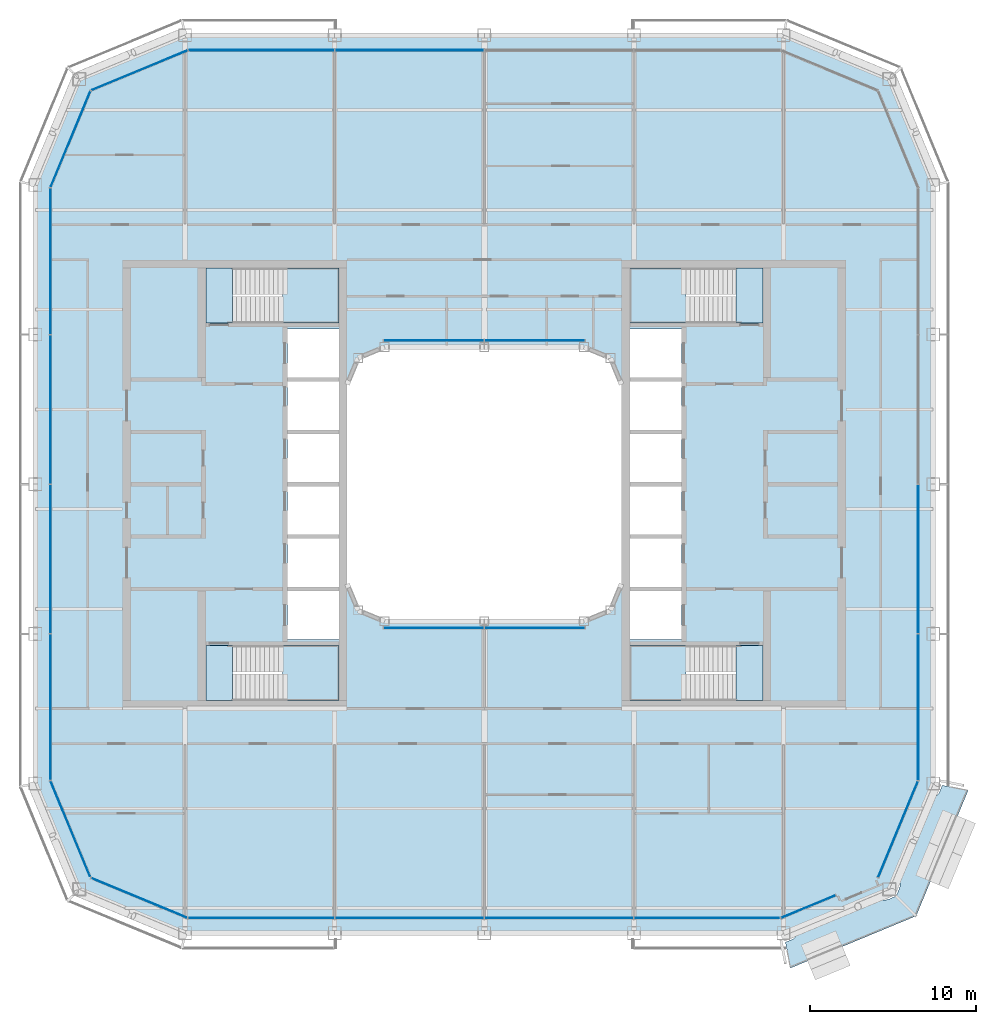
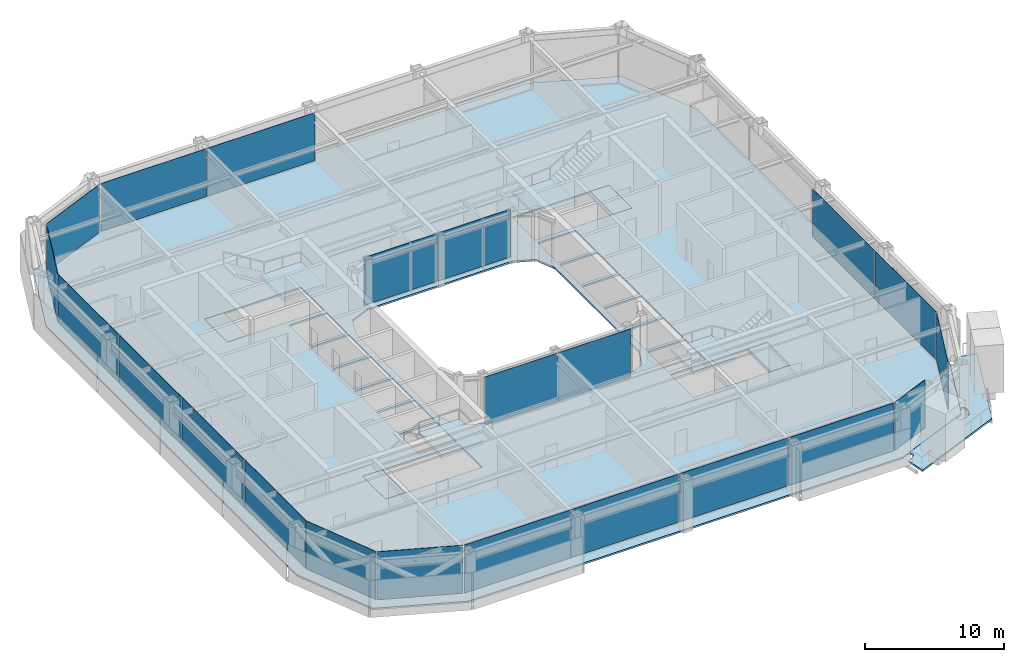
# One storey, part 11 of 23: 22 plates, 10 slabs, 16 elements without a shape of their own.
"""IFC4 building model written with IfcOpenShell, lengths in metres."""

from ifc_helpers import new_model, si_unit, direction, frame, origin, origin_2d, place, context, subcontext, project, spatial, polyline, rectangle, outline, extrude, material, layer, layer_set, type_object, element, aggregate, save


model = new_model("IFC4")

# Units and contexts
model_context = context("Model", 3, precision=1e-05, world=origin(), true_north=direction((0.0, 1.0)))
body_context = subcontext(model_context, "Body", "Model", "MODEL_VIEW")
ifc_project = project(units=[si_unit("LENGTHUNIT", "METRE"), si_unit("AREAUNIT", "SQUARE_METRE"), si_unit("VOLUMEUNIT", "CUBIC_METRE"), si_unit("PLANEANGLEUNIT", "RADIAN"), si_unit("MASSUNIT", "GRAM", prefix="KILO")], contexts=[model_context])

# Site, building, storey
site_placement = place(None, origin())
site = spatial("IfcSite", under=ifc_project, at=site_placement, CompositionType="ELEMENT")
building_placement = place(site_placement, origin())
building = spatial("IfcBuilding", under=site, at=building_placement, Name="Siwar Civic Tower", CompositionType="ELEMENT")
storey_placement = place(building_placement, frame((0.0, 0.0, 273.699951171875)))
storey = spatial("IfcBuildingStorey", under=building, at=storey_placement, Name="L59", CompositionType="ELEMENT", Elevation=273.699951171875)

# Stair, slabs
ifc_material_1 = material(Name="Concrete C40/50", Category="concrete")
stair_type = type_object("IfcStairType", Name="CORE-STAIR", PredefinedType="TWO_STRAIGHT_RUN_STAIR", material=ifc_material_1)
stair_1_placement = place(storey_placement, origin())
stair_1 = element("IfcStair", 1, at=stair_1_placement, inside=storey, type_object=stair_type, Name="Exit stair ST1", PredefinedType="TWO_STRAIGHT_RUN_STAIR")
ifc_material_2 = material(Name="Concrete C40/50", Category="concrete")
ifc_layer_1 = layer(ifc_material_2, 0.300048828125)
ifc_layer_set_1 = layer_set([ifc_layer_1], Name="Concrete C40/50")
slab_type_1 = type_object("IfcSlabType", Name="CORE-STAIR-LANDING", PredefinedType="LANDING", material=ifc_layer_set_1)
slab_1_placement = place(storey_placement, frame((0.0, 0.0, -0.300048828125)))
slab_1 = element("IfcSlab", 2, at=slab_1_placement, type_object=slab_type_1, Name="ST1 landing 1", PredefinedType="LANDING", context=body_context, shape_type="SweptSolid", body=[
    extrude(outline(polyline([(-15.14990234375, 13.0), (-16.75, 13.0), (-16.75, 9.699951171875), (-15.14990234375, 9.699951171875), (-15.14990234375, 13.0)])), origin(), (0.0, 0.0, 1.0), 0.300048828125),
])
slab_2_placement = place(storey_placement, frame((0.0, 0.0, 1.949951171875)))
slab_2 = element("IfcSlab", 3, at=slab_2_placement, type_object=slab_type_1, Name="ST1 landing 2", PredefinedType="LANDING", context=body_context, shape_type="SweptSolid", body=[
    extrude(outline(polyline([(-8.75, 13.0), (-12.139892578125, 13.0), (-12.139892578125, 9.699951171875), (-8.75, 9.699951171875), (-8.75, 13.0)])), origin(), (0.0, 0.0, 1.0), 0.300048828125),
])
aggregate(stair_1, [slab_1, slab_2])

stair_2_placement = place(storey_placement, origin())
stair_2 = element("IfcStair", 4, at=stair_2_placement, inside=storey, type_object=stair_type, Name="Exit stair ST2", PredefinedType="TWO_STRAIGHT_RUN_STAIR")
slab_3_placement = place(storey_placement, frame((0.0, 0.0, -0.300048828125)))
slab_3 = element("IfcSlab", 5, at=slab_3_placement, type_object=slab_type_1, Name="ST2 landing 1", PredefinedType="LANDING", context=body_context, shape_type="SweptSolid", body=[
    extrude(outline(polyline([(-15.14990234375, -9.699951171875), (-16.75, -9.699951171875), (-16.75, -13.0), (-15.14990234375, -13.0), (-15.14990234375, -9.699951171875)])), origin(), (0.0, 0.0, 1.0), 0.300048828125),
])
slab_4_placement = place(storey_placement, frame((0.0, 0.0, 1.949951171875)))
slab_4 = element("IfcSlab", 6, at=slab_4_placement, type_object=slab_type_1, Name="ST2 landing 2", PredefinedType="LANDING", context=body_context, shape_type="SweptSolid", body=[
    extrude(outline(polyline([(-8.75, -9.699951171875), (-12.139892578125, -9.699951171875), (-12.139892578125, -13.0), (-8.75, -13.0), (-8.75, -9.699951171875)])), origin(), (0.0, 0.0, 1.0), 0.300048828125),
])
aggregate(stair_2, [slab_3, slab_4])

stair_3_placement = place(storey_placement, origin())
stair_3 = element("IfcStair", 7, at=stair_3_placement, inside=storey, type_object=stair_type, Name="Exit stair ST3", PredefinedType="TWO_STRAIGHT_RUN_STAIR")
slab_5_placement = place(storey_placement, frame((0.0, 0.0, -0.300048828125)))
slab_5 = element("IfcSlab", 8, at=slab_5_placement, type_object=slab_type_1, Name="ST3 landing 1", PredefinedType="LANDING", context=body_context, shape_type="SweptSolid", body=[
    extrude(outline(polyline([(15.14990234375, 9.699951171875), (16.75, 9.699951171875), (16.75, 13.0), (15.14990234375, 13.0), (15.14990234375, 9.699951171875)])), origin(), (0.0, 0.0, 1.0), 0.300048828125),
])
slab_6_placement = place(storey_placement, frame((0.0, 0.0, 1.949951171875)))
slab_6 = element("IfcSlab", 9, at=slab_6_placement, type_object=slab_type_1, Name="ST3 landing 2", PredefinedType="LANDING", context=body_context, shape_type="SweptSolid", body=[
    extrude(outline(polyline([(8.75, 9.699951171875), (12.139892578125, 9.699951171875), (12.139892578125, 13.0), (8.75, 13.0), (8.75, 9.699951171875)])), origin(), (0.0, 0.0, 1.0), 0.300048828125),
])
aggregate(stair_3, [slab_5, slab_6])

stair_4_placement = place(storey_placement, origin())
stair_4 = element("IfcStair", 10, at=stair_4_placement, inside=storey, type_object=stair_type, Name="Exit stair ST4", PredefinedType="TWO_STRAIGHT_RUN_STAIR")
slab_7_placement = place(storey_placement, frame((0.0, 0.0, -0.300048828125)))
slab_7 = element("IfcSlab", 11, at=slab_7_placement, type_object=slab_type_1, Name="ST4 landing 1", PredefinedType="LANDING", context=body_context, shape_type="SweptSolid", body=[
    extrude(outline(polyline([(15.14990234375, -13.0), (16.75, -13.0), (16.75, -9.699951171875), (15.14990234375, -9.699951171875), (15.14990234375, -13.0)])), origin(), (0.0, 0.0, 1.0), 0.300048828125),
])
slab_8_placement = place(storey_placement, frame((0.0, 0.0, 1.949951171875)))
slab_8 = element("IfcSlab", 12, at=slab_8_placement, type_object=slab_type_1, Name="ST4 landing 2", PredefinedType="LANDING", context=body_context, shape_type="SweptSolid", body=[
    extrude(outline(polyline([(8.75, -13.0), (12.139892578125, -13.0), (12.139892578125, -9.699951171875), (8.75, -9.699951171875), (8.75, -13.0)])), origin(), (0.0, 0.0, 1.0), 0.300048828125),
])
aggregate(stair_4, [slab_7, slab_8])

# Slab
ifc_material_3 = material(Name="Concrete C40/50", Category="concrete")
ifc_layer_2 = layer(ifc_material_3, 0.14990234375)
ifc_layer_set_2 = layer_set([ifc_layer_2], Name="Concrete C40/50")
slab_type_2 = type_object("IfcSlabType", Name="ENV-BALCONY DECK 150", PredefinedType="FLOOR", material=ifc_layer_set_2)
slab_9_placement = place(storey_placement, frame((0.0, 0.0, -0.1494140625)))
element("IfcSlab", 13, at=slab_9_placement, inside=storey, type_object=slab_type_2, Name="Tree balcony deck SE", PredefinedType="FLOOR", context=body_context, shape_type="SweptSolid", body=[
    extrude(outline(polyline([(24.657470703125, -24.82080078125), (24.657470703125, -24.82080078125), (24.649658203125, -24.82421875), (24.40869140625, -24.924560546875), (24.362060546875, -24.94384765625), (24.35986328125, -24.94482421875), (24.305419921875, -24.96533203125), (24.300537109375, -24.967041015625), (24.244873046875, -24.98388671875), (24.238037109375, -24.985595703125), (24.189208984375, -24.99560546875), (24.183837890625, -24.99658203125), (24.13427734375, -25.002685546875), (24.12890625, -25.003173828125), (24.0791015625, -25.006103515625), (24.073974609375, -25.006103515625), (24.024169921875, -25.005615234375), (24.0185546875, -25.00537109375), (24.0126953125, -25.004638671875), (23.970947265625, -24.99755859375), (23.96337890625, -24.995849609375), (23.9560546875, -24.993408203125), (23.922607421875, -24.98046875), (23.91748046875, -24.978271484375), (23.88525390625, -24.962646484375), (23.880615234375, -24.96044921875), (23.849365234375, -24.942626953125), (23.84326171875, -24.93896484375), (23.837646484375, -24.9345703125), (23.83251953125, -24.9296875), (23.810546875, -24.906982421875), (23.804931640625, -24.900634765625), (23.80029296875, -24.8935546875), (23.796142578125, -24.885986328125), (23.78369140625, -24.85888671875), (23.78173828125, -24.85400390625), (23.771240234375, -24.826171875), (23.768798828125, -24.818115234375), (23.76708984375, -24.8095703125), (23.7666015625, -24.80126953125), (23.765869140625, -24.769775390625), (23.76611328125, -24.762451171875), (23.766845703125, -24.75537109375), (23.7685546875, -24.74853515625), (23.77783203125, -24.7138671875), (23.779541015625, -24.708984375), (23.791259765625, -24.675048828125), (23.793212890625, -24.669921875), (23.8076171875, -24.636962890625), (23.81103515625, -24.630126953125), (23.815185546875, -24.62353515625), (23.839599609375, -24.5888671875), (23.84326171875, -24.58447265625), (23.846923828125, -24.580078125), (23.85009765625, -24.57666015625), (18.531494140625, -26.77978515625), (18.5654296875, -26.7802734375), (18.5712890625, -26.780517578125), (18.576904296875, -26.78125), (18.61865234375, -26.788330078125), (18.626220703125, -26.789794921875), (18.633544921875, -26.792236328125), (18.6669921875, -26.805419921875), (18.672119140625, -26.8076171875), (18.70458984375, -26.822998046875), (18.709228515625, -26.825439453125), (18.740234375, -26.84326171875), (18.746337890625, -26.846923828125), (18.751953125, -26.851318359375), (18.75732421875, -26.856201171875), (18.779052734375, -26.87890625), (18.78466796875, -26.88525390625), (18.78955078125, -26.892333984375), (18.79345703125, -26.899658203125), (18.805908203125, -26.927001953125), (18.80810546875, -26.931884765625), (18.818603515625, -26.959716796875), (18.821044921875, -26.9677734375), (18.82275390625, -26.97607421875), (18.8232421875, -26.984619140625), (18.823974609375, -27.01611328125), (18.82373046875, -27.023193359375), (18.82275390625, -27.0302734375), (18.8212890625, -27.037353515625), (18.811767578125, -27.072021484375), (18.810302734375, -27.076904296875), (18.79833984375, -27.11083984375), (18.79638671875, -27.115966796875), (18.7822265625, -27.14892578125), (18.77880859375, -27.15576171875), (18.774658203125, -27.162353515625), (18.75, -27.197021484375), (18.74658203125, -27.201416015625), (18.74267578125, -27.205810546875), (18.7080078125, -27.241455078125), (18.704345703125, -27.2451171875), (18.667236328125, -27.278564453125), (18.663330078125, -27.281982421875), (18.623779296875, -27.312744140625), (18.619384765625, -27.31591796875), (18.577880859375, -27.343505859375), (18.57177734375, -27.34716796875), (18.520751953125, -27.374755859375), (18.51611328125, -27.377197265625), (18.463134765625, -27.4013671875), (18.4609375, -27.40234375), (18.453125, -27.405517578125), (18.406494140625, -27.425048828125), (18.17333984375, -27.522216796875), (18.16552734375, -27.525390625), (18.16552734375, -27.525390625), (18.15869140625, -27.52783203125), (18.13916015625, -27.533935546875), (18.13232421875, -27.53564453125), (18.12548828125, -27.53662109375), (18.107177734375, -27.538818359375), (18.417724609375, -29.10009765625), (25.97119140625, -25.97119140625), (29.10009765625, -18.417724609375), (27.5361328125, -18.106689453125), (27.5361328125, -18.107421875), (27.535400390625, -18.1240234375), (27.53466796875, -18.1328125), (27.53271484375, -18.141357421875), (27.5283203125, -18.156982421875), (27.525390625, -18.16552734375), (27.5234375, -18.170166015625), (27.522216796875, -18.17333984375), (27.515625, -18.18896484375), (27.49951171875, -18.227783203125), (27.494140625, -18.240234375), (27.425048828125, -18.406494140625), (27.405517578125, -18.453125), (27.40234375, -18.4609375), (27.4013671875, -18.463134765625), (27.377197265625, -18.51611328125), (27.374755859375, -18.520751953125), (27.34716796875, -18.57177734375), (27.343505859375, -18.577880859375), (27.31591796875, -18.619384765625), (27.312744140625, -18.623779296875), (27.281982421875, -18.663330078125), (27.278564453125, -18.667236328125), (27.2451171875, -18.704345703125), (27.241455078125, -18.7080078125), (27.205810546875, -18.74267578125), (27.201416015625, -18.74658203125), (27.197021484375, -18.75), (27.162353515625, -18.774658203125), (27.15576171875, -18.77880859375), (27.14892578125, -18.7822265625), (27.115966796875, -18.79638671875), (27.11083984375, -18.79833984375), (27.076904296875, -18.810302734375), (27.072021484375, -18.811767578125), (27.037353515625, -18.8212890625), (27.0302734375, -18.82275390625), (27.023193359375, -18.82373046875), (27.01611328125, -18.823974609375), (26.984619140625, -18.8232421875), (26.97607421875, -18.82275390625), (26.9677734375, -18.821044921875), (26.959716796875, -18.818603515625), (26.931884765625, -18.80810546875), (26.927001953125, -18.805908203125), (26.899658203125, -18.79345703125), (26.892333984375, -18.78955078125), (26.88525390625, -18.78466796875), (26.87890625, -18.779052734375), (26.856201171875, -18.75732421875), (26.851318359375, -18.751953125), (26.846923828125, -18.746337890625), (26.84326171875, -18.740234375), (26.825439453125, -18.709228515625), (26.822998046875, -18.70458984375), (26.8076171875, -18.672119140625), (26.805419921875, -18.6669921875), (26.792236328125, -18.633544921875), (26.789794921875, -18.626220703125), (26.788330078125, -18.61865234375), (26.78125, -18.576904296875), (26.780517578125, -18.5712890625), (26.7802734375, -18.5654296875), (26.77978515625, -18.531494140625), (24.57666015625, -23.85009765625), (24.580078125, -23.846923828125), (24.58447265625, -23.84326171875), (24.5888671875, -23.839599609375), (24.62353515625, -23.815185546875), (24.630126953125, -23.81103515625), (24.636962890625, -23.8076171875), (24.669921875, -23.793212890625), (24.675048828125, -23.791259765625), (24.708984375, -23.779541015625), (24.7138671875, -23.77783203125), (24.74853515625, -23.7685546875), (24.75537109375, -23.766845703125), (24.762451171875, -23.76611328125), (24.769775390625, -23.765869140625), (24.80126953125, -23.7666015625), (24.8095703125, -23.76708984375), (24.818115234375, -23.768798828125), (24.826171875, -23.771240234375), (24.85400390625, -23.78173828125), (24.85888671875, -23.78369140625), (24.885986328125, -23.796142578125), (24.8935546875, -23.80029296875), (24.900634765625, -23.804931640625), (24.906982421875, -23.810546875), (24.9296875, -23.83251953125), (24.9345703125, -23.837646484375), (24.93896484375, -23.84326171875), (24.942626953125, -23.849365234375), (24.96044921875, -23.880615234375), (24.962646484375, -23.88525390625), (24.978271484375, -23.91748046875), (24.98046875, -23.922607421875), (24.993408203125, -23.9560546875), (24.995849609375, -23.96337890625), (24.99755859375, -23.970947265625), (25.004638671875, -24.0126953125), (25.00537109375, -24.0185546875), (25.005615234375, -24.024169921875), (25.006103515625, -24.073974609375), (25.006103515625, -24.0791015625), (25.003173828125, -24.12890625), (25.002685546875, -24.13427734375), (24.99658203125, -24.183837890625), (24.99560546875, -24.189208984375), (24.985595703125, -24.238037109375), (24.98388671875, -24.244873046875), (24.967041015625, -24.300537109375), (24.96533203125, -24.305419921875), (24.94482421875, -24.35986328125), (24.94384765625, -24.362060546875), (24.924560546875, -24.40869140625), (24.82421875, -24.649658203125), (24.82080078125, -24.657470703125), (24.81689453125, -24.66552734375), (24.808837890625, -24.6796875), (24.80419921875, -24.68701171875), (24.798583984375, -24.693603515625), (24.787109375, -24.7060546875), (24.78173828125, -24.71142578125), (24.78173828125, -24.71142578125), (24.781494140625, -24.71142578125), (24.78076171875, -24.712158203125), (24.77783203125, -24.718505859375), (24.774169921875, -24.724853515625), (24.77001953125, -24.730712890625), (24.763916015625, -24.73828125), (24.763916015625, -24.763916015625), (24.741455078125, -24.763916015625), (24.72607421875, -24.778564453125), (24.7177734375, -24.785400390625), (24.695556640625, -24.801025390625), (24.686279296875, -24.806640625), (24.662353515625, -24.818603515625), (24.657470703125, -24.82080078125), (24.657470703125, -24.82080078125), (24.657470703125, -24.82080078125), (24.657470703125, -24.82080078125)])), origin(), (0.0, 0.0, 1.0), 0.1494140625),
])

# Curtain wall, plates
ifc_material_4 = material(Name="Aluminium and glass", Category="aluminium")
ifc_layer_3 = layer(ifc_material_4, 0.179931640625)
ifc_layer_set_3 = layer_set([ifc_layer_3], Name="Aluminium and glass")
curtain_wall_type_1 = type_object("IfcCurtainWallType", Name="ENV-CW-C", PredefinedType="NOTDEFINED", material=ifc_layer_set_3)
curtain_wall_1_placement = place(storey_placement, origin())
curtain_wall_1 = element("IfcCurtainWall", 14, at=curtain_wall_1_placement, inside=storey, type_object=curtain_wall_type_1, Name="Curtain wall C S", PredefinedType="NOTDEFINED")
ifc_material_5 = material(Name="Glass clear laminated", Category="glass")
ifc_layer_4 = layer(ifc_material_5, 0.031982421875)
ifc_layer_set_4 = layer_set([ifc_layer_4], Name="Glass clear laminated")
plate_type_1 = type_object("IfcPlateType", Name="ENV-PANEL-C", PredefinedType="CURTAIN_PANEL", material=ifc_layer_set_4)
plate_1_placement = place(storey_placement, frame((-13.410400390625, -26.10009765625, 0.10009765625), z_axis=(0.0, 0.0, 1.0), x_axis=(1.0, 0.0, 0.0)))
plate_1 = element("IfcPlate", 15, at=plate_1_placement, type_object=plate_type_1, Name="Curtain panel C S 1", PredefinedType="CURTAIN_PANEL", context=body_context, shape_type="SweptSolid", body=[
    extrude(rectangle(XDim=8.760986328125, YDim=0.031982421875, at=origin_2d()), origin(), (0.0, 0.0, 1.0), 4.199951171875),
])
plate_2_placement = place(storey_placement, frame((-4.5, -26.10009765625, 0.10009765625), z_axis=(0.0, 0.0, 1.0), x_axis=(1.0, 0.0, 0.0)))
plate_2 = element("IfcPlate", 16, at=plate_2_placement, type_object=plate_type_1, Name="Curtain panel C S 2", PredefinedType="CURTAIN_PANEL", context=body_context, shape_type="SweptSolid", body=[
    extrude(rectangle(XDim=8.93994140625, YDim=0.031982421875, at=origin_2d()), origin(), (0.0, 0.0, 1.0), 4.199951171875),
])
plate_3_placement = place(storey_placement, frame((4.5, -26.10009765625, 0.10009765625), z_axis=(0.0, 0.0, 1.0), x_axis=(1.0, 0.0, 0.0)))
plate_3 = element("IfcPlate", 17, at=plate_3_placement, type_object=plate_type_1, Name="Curtain panel C S 3", PredefinedType="CURTAIN_PANEL", context=body_context, shape_type="SweptSolid", body=[
    extrude(rectangle(XDim=8.93994140625, YDim=0.031982421875, at=origin_2d()), origin(), (0.0, 0.0, 1.0), 4.199951171875),
])
plate_4_placement = place(storey_placement, frame((13.373046875, -26.10009765625, 0.10009765625), z_axis=(0.0, 0.0, 1.0), x_axis=(1.0, 0.0, 0.0)))
plate_4 = element("IfcPlate", 18, at=plate_4_placement, type_object=plate_type_1, Name="Curtain panel C S 4", PredefinedType="CURTAIN_PANEL", context=body_context, shape_type="SweptSolid", body=[
    extrude(rectangle(XDim=8.68603515625, YDim=0.031982421875, at=origin_2d()), origin(), (0.0, 0.0, 1.0), 4.199951171875),
])
aggregate(curtain_wall_1, [plate_1, plate_2, plate_3, plate_4])

curtain_wall_2_placement = place(storey_placement, origin())
curtain_wall_2 = element("IfcCurtainWall", 19, at=curtain_wall_2_placement, inside=storey, type_object=curtain_wall_type_1, Name="Curtain wall C E", PredefinedType="NOTDEFINED")
plate_5_placement = place(storey_placement, frame((26.10009765625, -13.410400390625, 0.10009765625), z_axis=(0.0, 0.0, 1.0), x_axis=(0.0, 1.0, 0.0)))
plate_5 = element("IfcPlate", 20, at=plate_5_placement, type_object=plate_type_1, Name="Curtain panel C E 1", PredefinedType="CURTAIN_PANEL", context=body_context, shape_type="SweptSolid", body=[
    extrude(rectangle(XDim=8.760986328125, YDim=0.031982421875, at=origin_2d()), origin(), (0.0, 0.0, 1.0), 4.199951171875),
])
plate_6_placement = place(storey_placement, frame((26.10009765625, -4.5, 0.10009765625), z_axis=(0.0, 0.0, 1.0), x_axis=(0.0, 1.0, 0.0)))
plate_6 = element("IfcPlate", 21, at=plate_6_placement, type_object=plate_type_1, Name="Curtain panel C E 2", PredefinedType="CURTAIN_PANEL", context=body_context, shape_type="SweptSolid", body=[
    extrude(rectangle(XDim=8.93994140625, YDim=0.031982421875, at=origin_2d()), origin(), (0.0, 0.0, 1.0), 4.199951171875),
])
aggregate(curtain_wall_2, [plate_5, plate_6])

curtain_wall_3_placement = place(storey_placement, origin())
curtain_wall_3 = element("IfcCurtainWall", 22, at=curtain_wall_3_placement, inside=storey, type_object=curtain_wall_type_1, Name="Curtain wall C N", PredefinedType="NOTDEFINED")
plate_7_placement = place(storey_placement, frame((-4.5, 26.10009765625, 0.10009765625), z_axis=(0.0, 0.0, 1.0), x_axis=(-1.0, 0.0, 0.0)))
plate_7 = element("IfcPlate", 23, at=plate_7_placement, type_object=plate_type_1, Name="Curtain panel C N 3", PredefinedType="CURTAIN_PANEL", context=body_context, shape_type="SweptSolid", body=[
    extrude(rectangle(XDim=8.93994140625, YDim=0.031982421875, at=origin_2d()), origin(), (0.0, 0.0, 1.0), 4.199951171875),
])
plate_8_placement = place(storey_placement, frame((-13.373046875, 26.10009765625, 0.10009765625), z_axis=(0.0, 0.0, 1.0), x_axis=(-1.0, 0.0, 0.0)))
plate_8 = element("IfcPlate", 24, at=plate_8_placement, type_object=plate_type_1, Name="Curtain panel C N 4", PredefinedType="CURTAIN_PANEL", context=body_context, shape_type="SweptSolid", body=[
    extrude(rectangle(XDim=8.68603515625, YDim=0.031982421875, at=origin_2d()), origin(), (0.0, 0.0, 1.0), 4.199951171875),
])
aggregate(curtain_wall_3, [plate_7, plate_8])

curtain_wall_4_placement = place(storey_placement, origin())
curtain_wall_4 = element("IfcCurtainWall", 25, at=curtain_wall_4_placement, inside=storey, type_object=curtain_wall_type_1, Name="Curtain wall C W", PredefinedType="NOTDEFINED")
plate_9_placement = place(storey_placement, frame((-26.10009765625, 13.410400390625, 0.10009765625), z_axis=(0.0, 0.0, 1.0), x_axis=(0.0, -1.0, 0.0)))
plate_9 = element("IfcPlate", 26, at=plate_9_placement, type_object=plate_type_1, Name="Curtain panel C W 1", PredefinedType="CURTAIN_PANEL", context=body_context, shape_type="SweptSolid", body=[
    extrude(rectangle(XDim=8.760986328125, YDim=0.031982421875, at=origin_2d()), origin(), (0.0, 0.0, 1.0), 4.199951171875),
])
plate_10_placement = place(storey_placement, frame((-26.10009765625, 4.5, 0.10009765625), z_axis=(0.0, 0.0, 1.0), x_axis=(0.0, -1.0, 0.0)))
plate_10 = element("IfcPlate", 27, at=plate_10_placement, type_object=plate_type_1, Name="Curtain panel C W 2", PredefinedType="CURTAIN_PANEL", context=body_context, shape_type="SweptSolid", body=[
    extrude(rectangle(XDim=8.93994140625, YDim=0.031982421875, at=origin_2d()), origin(), (0.0, 0.0, 1.0), 4.199951171875),
])
plate_11_placement = place(storey_placement, frame((-26.10009765625, -4.5, 0.10009765625), z_axis=(0.0, 0.0, 1.0), x_axis=(0.0, -1.0, 0.0)))
plate_11 = element("IfcPlate", 28, at=plate_11_placement, type_object=plate_type_1, Name="Curtain panel C W 3", PredefinedType="CURTAIN_PANEL", context=body_context, shape_type="SweptSolid", body=[
    extrude(rectangle(XDim=8.93994140625, YDim=0.031982421875, at=origin_2d()), origin(), (0.0, 0.0, 1.0), 4.199951171875),
])
plate_12_placement = place(storey_placement, frame((-26.10009765625, -13.373046875, 0.10009765625), z_axis=(0.0, 0.0, 1.0), x_axis=(0.0, -1.0, 0.0)))
plate_12 = element("IfcPlate", 29, at=plate_12_placement, type_object=plate_type_1, Name="Curtain panel C W 4", PredefinedType="CURTAIN_PANEL", context=body_context, shape_type="SweptSolid", body=[
    extrude(rectangle(XDim=8.68603515625, YDim=0.031982421875, at=origin_2d()), origin(), (0.0, 0.0, 1.0), 4.199951171875),
])
aggregate(curtain_wall_4, [plate_9, plate_10, plate_11, plate_12])

# Curtain wall, plate
ifc_material_6 = material(Name="Aluminium clad insulated panel", Category="aluminium")
ifc_layer_5 = layer(ifc_material_6, 0.179931640625)
ifc_layer_set_5 = layer_set([ifc_layer_5], Name="Aluminium clad insulated panel")
curtain_wall_type_2 = type_object("IfcCurtainWallType", Name="ENV-CW-CX", PredefinedType="NOTDEFINED", material=ifc_layer_set_5)
curtain_wall_5_placement = place(storey_placement, origin())
curtain_wall_5 = element("IfcCurtainWall", 30, at=curtain_wall_5_placement, inside=storey, type_object=curtain_wall_type_2, Name="Curtain wall C SE1", PredefinedType="NOTDEFINED")
ifc_material_7 = material(Name="Aluminium clad insulated panel", Category="aluminium")
ifc_layer_6 = layer(ifc_material_7, 0.031982421875)
ifc_layer_set_6 = layer_set([ifc_layer_6], Name="Aluminium clad insulated panel")
plate_type_2 = type_object("IfcPlateType", Name="ENV-PANEL-CX", PredefinedType="CURTAIN_PANEL", material=ifc_layer_set_6)
plate_13_placement = place(storey_placement, frame((19.4873046875, -25.40966796875, 0.10009765625), z_axis=(0.0, 0.0, 1.0), x_axis=(0.923879532511, 0.382683432365, 0.0)))
plate_13 = element("IfcPlate", 31, at=plate_13_placement, type_object=plate_type_2, Name="Curtain panel C SE1 1", PredefinedType="CURTAIN_PANEL", context=body_context, shape_type="SweptSolid", body=[
    extrude(rectangle(XDim=3.54736328125, YDim=0.031982421875, at=origin_2d()), origin(), (0.0, 0.0, 1.0), 4.199951171875),
])
aggregate(curtain_wall_5, [plate_13])

curtain_wall_6_placement = place(storey_placement, origin())
curtain_wall_6 = element("IfcCurtainWall", 32, at=curtain_wall_6_placement, inside=storey, type_object=curtain_wall_type_2, Name="Curtain wall C SE2", PredefinedType="NOTDEFINED")
plate_14_placement = place(storey_placement, frame((24.873291015625, -20.78271484375, 0.10009765625), z_axis=(0.0, 0.0, 1.0), x_axis=(0.382683432365, 0.923879532511, 0.0)))
plate_14 = element("IfcPlate", 33, at=plate_14_placement, type_object=plate_type_2, Name="Curtain panel C SE2 1", PredefinedType="CURTAIN_PANEL", context=body_context, shape_type="SweptSolid", body=[
    extrude(rectangle(XDim=6.20166015625, YDim=0.031982421875, at=origin_2d()), origin(), (0.0, 0.0, 1.0), 4.199951171875),
])
aggregate(curtain_wall_6, [plate_14])

curtain_wall_7_placement = place(storey_placement, origin())
curtain_wall_7 = element("IfcCurtainWall", 34, at=curtain_wall_7_placement, inside=storey, type_object=curtain_wall_type_2, Name="Curtain wall C NW1", PredefinedType="NOTDEFINED")
plate_15_placement = place(storey_placement, frame((-20.71337890625, 24.90185546875, 0.10009765625), z_axis=(0.0, 0.0, 1.0), x_axis=(-0.923879532511, -0.382683432365, 0.0)))
plate_15 = element("IfcPlate", 35, at=plate_15_placement, type_object=plate_type_2, Name="Curtain panel C NW1 1", PredefinedType="CURTAIN_PANEL", context=body_context, shape_type="SweptSolid", body=[
    extrude(rectangle(XDim=6.20166015625, YDim=0.031982421875, at=origin_2d()), origin(), (0.0, 0.0, 1.0), 4.199951171875),
])
aggregate(curtain_wall_7, [plate_15])

curtain_wall_8_placement = place(storey_placement, origin())
curtain_wall_8 = element("IfcCurtainWall", 36, at=curtain_wall_8_placement, inside=storey, type_object=curtain_wall_type_2, Name="Curtain wall C NW2", PredefinedType="NOTDEFINED")
plate_16_placement = place(storey_placement, frame((-24.873291015625, 20.78271484375, 0.10009765625), z_axis=(0.0, 0.0, 1.0), x_axis=(-0.382683432365, -0.923879532511, 0.0)))
plate_16 = element("IfcPlate", 37, at=plate_16_placement, type_object=plate_type_2, Name="Curtain panel C NW2 1", PredefinedType="CURTAIN_PANEL", context=body_context, shape_type="SweptSolid", body=[
    extrude(rectangle(XDim=6.20166015625, YDim=0.031982421875, at=origin_2d()), origin(), (0.0, 0.0, 1.0), 4.199951171875),
])
aggregate(curtain_wall_8, [plate_16])

curtain_wall_9_placement = place(storey_placement, origin())
curtain_wall_9 = element("IfcCurtainWall", 38, at=curtain_wall_9_placement, inside=storey, type_object=curtain_wall_type_2, Name="Curtain wall C SW1", PredefinedType="NOTDEFINED")
plate_17_placement = place(storey_placement, frame((-24.90185546875, -20.71337890625, 0.10009765625), z_axis=(0.0, 0.0, 1.0), x_axis=(0.382683432365, -0.923879532511, 0.0)))
plate_17 = element("IfcPlate", 39, at=plate_17_placement, type_object=plate_type_2, Name="Curtain panel C SW1 1", PredefinedType="CURTAIN_PANEL", context=body_context, shape_type="SweptSolid", body=[
    extrude(rectangle(XDim=6.20166015625, YDim=0.031982421875, at=origin_2d()), origin(), (0.0, 0.0, 1.0), 4.199951171875),
])
aggregate(curtain_wall_9, [plate_17])

curtain_wall_10_placement = place(storey_placement, origin())
curtain_wall_10 = element("IfcCurtainWall", 40, at=curtain_wall_10_placement, inside=storey, type_object=curtain_wall_type_2, Name="Curtain wall C SW2", PredefinedType="NOTDEFINED")
plate_18_placement = place(storey_placement, frame((-20.78271484375, -24.873291015625, 0.10009765625), z_axis=(0.0, 0.0, 1.0), x_axis=(0.923879532511, -0.382683432365, 0.0)))
plate_18 = element("IfcPlate", 41, at=plate_18_placement, type_object=plate_type_2, Name="Curtain panel C SW2 1", PredefinedType="CURTAIN_PANEL", context=body_context, shape_type="SweptSolid", body=[
    extrude(rectangle(XDim=6.20166015625, YDim=0.031982421875, at=origin_2d()), origin(), (0.0, 0.0, 1.0), 4.199951171875),
])
aggregate(curtain_wall_10, [plate_18])

# Curtain wall, plates
ifc_material_8 = material(Name="Aluminium and glass", Category="aluminium")
ifc_layer_7 = layer(ifc_material_8, 0.179931640625)
ifc_layer_set_7 = layer_set([ifc_layer_7], Name="Aluminium and glass")
curtain_wall_type_3 = type_object("IfcCurtainWallType", Name="ENV-CW-W", PredefinedType="NOTDEFINED", material=ifc_layer_set_7)
curtain_wall_11_placement = place(storey_placement, origin())
curtain_wall_11 = element("IfcCurtainWall", 42, at=curtain_wall_11_placement, inside=storey, type_object=curtain_wall_type_3, Name="Curtain wall W WS", PredefinedType="NOTDEFINED")
ifc_material_9 = material(Name="Glass clear laminated", Category="glass")
ifc_layer_8 = layer(ifc_material_9, 0.031982421875)
ifc_layer_set_8 = layer_set([ifc_layer_8], Name="Glass clear laminated")
plate_type_3 = type_object("IfcPlateType", Name="ENV-PANEL-W", PredefinedType="CURTAIN_PANEL", material=ifc_layer_set_8)
plate_19_placement = place(storey_placement, frame((-3.038330078125, -8.635009765625, 0.10009765625), z_axis=(0.0, 0.0, 1.0), x_axis=(1.0, 0.0, 0.0)))
plate_19 = element("IfcPlate", 43, at=plate_19_placement, type_object=plate_type_3, Name="Curtain panel W WS 1", PredefinedType="CURTAIN_PANEL", context=body_context, shape_type="SweptSolid", body=[
    extrude(rectangle(XDim=6.0166015625, YDim=0.031982421875, at=origin_2d()), origin(), (0.0, 0.0, 1.0), 4.199951171875),
])
plate_20_placement = place(storey_placement, frame((3.038330078125, -8.635009765625, 0.10009765625), z_axis=(0.0, 0.0, 1.0), x_axis=(1.0, 0.0, 0.0)))
plate_20 = element("IfcPlate", 44, at=plate_20_placement, type_object=plate_type_3, Name="Curtain panel W WS 2", PredefinedType="CURTAIN_PANEL", context=body_context, shape_type="SweptSolid", body=[
    extrude(rectangle(XDim=6.0166015625, YDim=0.031982421875, at=origin_2d()), origin(), (0.0, 0.0, 1.0), 4.199951171875),
])
aggregate(curtain_wall_11, [plate_19, plate_20])

curtain_wall_12_placement = place(storey_placement, origin())
curtain_wall_12 = element("IfcCurtainWall", 45, at=curtain_wall_12_placement, inside=storey, type_object=curtain_wall_type_3, Name="Curtain wall W WN", PredefinedType="NOTDEFINED")
plate_21_placement = place(storey_placement, frame((3.038330078125, 8.635009765625, 0.10009765625), z_axis=(0.0, 0.0, 1.0), x_axis=(-1.0, 0.0, 0.0)))
plate_21 = element("IfcPlate", 46, at=plate_21_placement, type_object=plate_type_3, Name="Curtain panel W WN 1", PredefinedType="CURTAIN_PANEL", context=body_context, shape_type="SweptSolid", body=[
    extrude(rectangle(XDim=6.0166015625, YDim=0.031982421875, at=origin_2d()), origin(), (0.0, 0.0, 1.0), 4.199951171875),
])
plate_22_placement = place(storey_placement, frame((-3.038330078125, 8.635009765625, 0.10009765625), z_axis=(0.0, 0.0, 1.0), x_axis=(-1.0, 0.0, 0.0)))
plate_22 = element("IfcPlate", 47, at=plate_22_placement, type_object=plate_type_3, Name="Curtain panel W WN 2", PredefinedType="CURTAIN_PANEL", context=body_context, shape_type="SweptSolid", body=[
    extrude(rectangle(XDim=6.0166015625, YDim=0.031982421875, at=origin_2d()), origin(), (0.0, 0.0, 1.0), 4.199951171875),
])
aggregate(curtain_wall_12, [plate_21, plate_22])

# Slab
ifc_material_10 = material(Name="Concrete C40/50", Category="concrete")
ifc_layer_9 = layer(ifc_material_10, 0.14990234375)
ifc_layer_set_9 = layer_set([ifc_layer_9], Name="Concrete C40/50")
slab_type_3 = type_object("IfcSlabType", Name="STR-FLOOR-DECK-150", PredefinedType="FLOOR", material=ifc_layer_set_9)
slab_10_placement = place(storey_placement, frame((0.0, 0.0, -0.14990234375)))
element("IfcSlab", 48, at=slab_10_placement, inside=storey, type_object=slab_type_3, Name="L59/slab/1", PredefinedType="FLOOR", context=body_context, shape_type="SweptSolid", body=[
    extrude(outline(polyline([(-18.0, -27.0), (18.0, -27.0), (24.364013671875, -24.364013671875), (27.0, -18.0), (27.0, 18.0), (24.364013671875, 24.364013671875), (18.0, 27.0), (-18.0, 27.0), (-24.364013671875, 24.364013671875), (-27.0, 18.0), (-27.0, -18.0), (-24.364013671875, -24.364013671875), (-18.0, -27.0)]), holes=[polyline([(16.75, 13.0), (16.75, 9.699951171875), (8.75, 9.699951171875), (8.75, 13.0), (16.75, 13.0)]), polyline([(8.75, -9.699951171875), (16.75, -9.699951171875), (16.75, -13.0), (8.75, -13.0), (8.75, -9.699951171875)]), polyline([(11.85009765625, 9.324951171875), (11.85009765625, 6.425048828125), (8.75, 6.425048828125), (8.75, 9.324951171875), (11.85009765625, 9.324951171875)]), polyline([(8.75, 6.175048828125), (11.85009765625, 6.175048828125), (11.85009765625, 3.27490234375), (8.75, 3.27490234375), (8.75, 6.175048828125)]), polyline([(8.75, 3.02490234375), (11.85009765625, 3.02490234375), (11.85009765625, 0.125), (8.75, 0.125), (8.75, 3.02490234375)]), polyline([(8.75, -0.125), (11.85009765625, -0.125), (11.85009765625, -3.02490234375), (8.75, -3.02490234375), (8.75, -0.125)]), polyline([(8.75, -3.27490234375), (11.85009765625, -3.27490234375), (11.85009765625, -6.175048828125), (8.75, -6.175048828125), (8.75, -3.27490234375)]), polyline([(8.75, -6.425048828125), (11.85009765625, -6.425048828125), (11.85009765625, -9.324951171875), (8.75, -9.324951171875), (8.75, -6.425048828125)]), polyline([(-6.0, 8.25), (6.0, 8.25), (7.591064453125, 7.591064453125), (8.25, 6.0), (8.25, -6.0), (7.591064453125, -7.591064453125), (6.0, -8.25), (-6.0, -8.25), (-7.591064453125, -7.591064453125), (-8.25, -6.0), (-8.25, 6.0), (-7.591064453125, 7.591064453125), (-6.0, 8.25)]), polyline([(-8.75, -13.0), (-16.75, -13.0), (-16.75, -9.699951171875), (-8.75, -9.699951171875), (-8.75, -13.0)]), polyline([(-8.75, 9.699951171875), (-16.75, 9.699951171875), (-16.75, 13.0), (-8.75, 13.0), (-8.75, 9.699951171875)]), polyline([(-8.75, 6.425048828125), (-11.85009765625, 6.425048828125), (-11.85009765625, 9.324951171875), (-8.75, 9.324951171875), (-8.75, 6.425048828125)]), polyline([(-8.75, 3.27490234375), (-11.85009765625, 3.27490234375), (-11.85009765625, 6.175048828125), (-8.75, 6.175048828125), (-8.75, 3.27490234375)]), polyline([(-8.75, 0.125), (-11.85009765625, 0.125), (-11.85009765625, 3.02490234375), (-8.75, 3.02490234375), (-8.75, 0.125)]), polyline([(-8.75, -3.02490234375), (-11.85009765625, -3.02490234375), (-11.85009765625, -0.125), (-8.75, -0.125), (-8.75, -3.02490234375)]), polyline([(-8.75, -6.175048828125), (-11.85009765625, -6.175048828125), (-11.85009765625, -3.27490234375), (-8.75, -3.27490234375), (-8.75, -6.175048828125)]), polyline([(-8.75, -9.324951171875), (-11.85009765625, -9.324951171875), (-11.85009765625, -6.425048828125), (-8.75, -6.425048828125), (-8.75, -9.324951171875)])]), origin(), (0.0, 0.0, 1.0), 0.14990234375),
])

save(model, "model.ifc")
